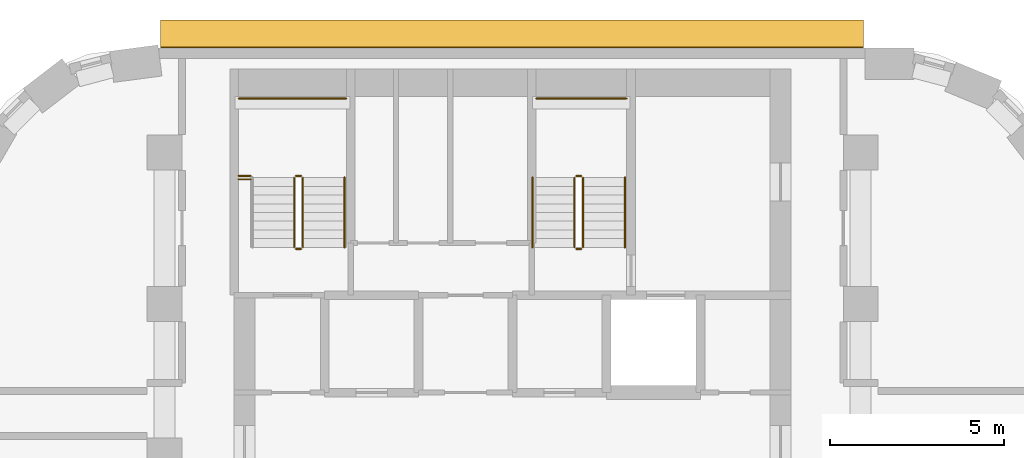
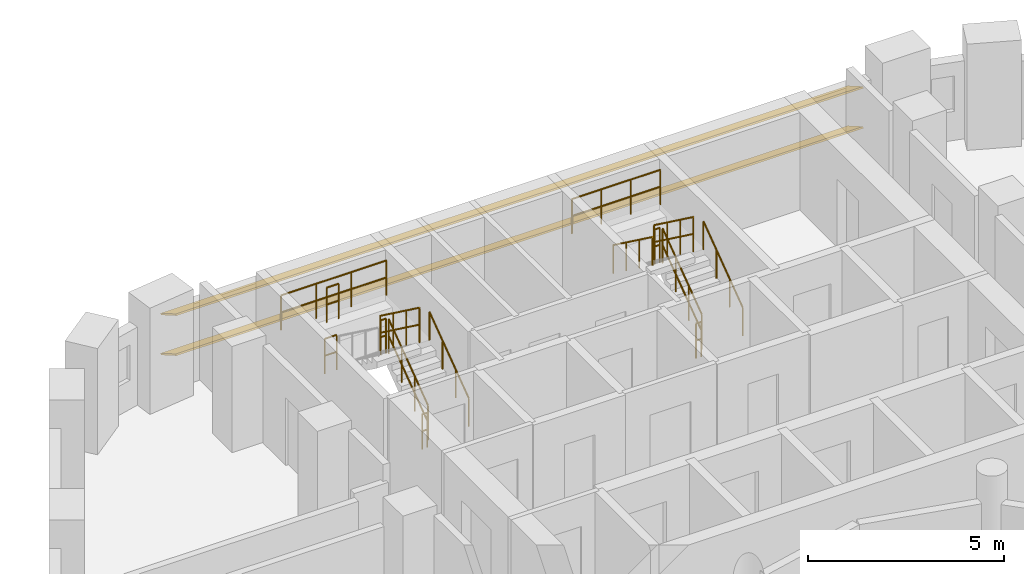
# One storey, part 12 of 12: 15 railings, 2 shading devices.
"""IFC4 building model written with IfcOpenShell, lengths in metres."""

import ifcopenshell
import ifcopenshell.guid

model = None  # the IFC model being written
_history = None  # IfcOwnerHistory: only IFC2X3 demands one
_inside = {}  # id of a spatial element -> (the spatial element, [elements in it])
_under = {}  # id of a project, library or spatial element -> (it, [spatial elements below it])
_declared = {}  # id of a project -> (the project, [libraries it declares])
_typed = {}  # id of a type object -> (the type object, [elements of that type])
_made_of = {}  # id of a material, layer set ... -> (it, [elements and type objects made of it])


def new_model(schema):
    """Start an empty IFC model of exactly this schema.

    Asked for "IFC4X3", IfcOpenShell would pick the latest addendum, in which some entities
    have other attributes; the version numbers below select the first issue.
    IFC2X3 requires an IfcOwnerHistory on every rooted entity: one is made here for all.
    """
    global model, _history
    if schema == "IFC4X3":
        model = ifcopenshell.file(schema_version=(4, 3, 0, 0))
    else:
        model = ifcopenshell.file(schema=schema)
    _inside.clear()
    _under.clear()
    _declared.clear()
    _typed.clear()
    _made_of.clear()
    _history = None
    if model.schema == "IFC2X3":
        org = make("IfcOrganization", Name="unknown")
        user = make(
            "IfcPersonAndOrganization",
            ThePerson=make("IfcPerson", FamilyName="unknown"),
            TheOrganization=org,
        )
        app = make(
            "IfcApplication",
            ApplicationDeveloper=org,
            Version="unknown",
            ApplicationFullName="unknown",
            ApplicationIdentifier="unknown",
        )
        _history = make(
            "IfcOwnerHistory",
            OwningUser=user,
            OwningApplication=app,
            ChangeAction="ADDED",
            CreationDate=0,
        )
    return model


def make(cls, **values):
    """One entity of the class cls with the attributes given. An attribute that is None is left unset."""
    return model.create_entity(
        cls, **{name: value for name, value in values.items() if value is not None}
    )


def rooted(cls, **values):
    """An entity with a GlobalId (a new one), such as an element, a storey or a relation."""
    return make(cls, GlobalId=ifcopenshell.guid.new(), OwnerHistory=_history, **values)


def si_unit(unit_type, name, prefix=None):
    """IfcSIUnit, for example si_unit("LENGTHUNIT", "METRE", prefix="MILLI")."""
    return make("IfcSIUnit", UnitType=unit_type, Prefix=prefix, Name=name)


def assignment(units):
    """IfcUnitAssignment: the units of a project."""
    return None if units is None else make("IfcUnitAssignment", Units=units)


def point(xyz):
    """IfcCartesianPoint."""
    return None if xyz is None else make("IfcCartesianPoint", Coordinates=xyz)


def direction(xyz):
    """IfcDirection."""
    return None if xyz is None else make("IfcDirection", DirectionRatios=xyz)


def frame(location, z_axis=None, x_axis=None):
    """IfcAxis2Placement3D, a coordinate frame: its origin and axes. An axis left out is left unset."""
    return make(
        "IfcAxis2Placement3D",
        Location=point(location),
        Axis=direction(z_axis),
        RefDirection=direction(x_axis),
    )


def frame_2d(location, x_axis=None):
    """IfcAxis2Placement2D, a coordinate frame in the plane: its origin and x axis."""
    return make(
        "IfcAxis2Placement2D", Location=point(location), RefDirection=direction(x_axis)
    )


def origin():
    """The frame at (0, 0, 0) with its axes left unset."""
    return frame((0.0, 0.0, 0.0))


def origin_2d():
    """The frame at (0, 0) in the plane with its x axis left unset."""
    return frame_2d((0.0, 0.0))


def place(relative_to, where):
    """IfcLocalPlacement: puts the frame where relative to a parent placement (None: the world)."""
    return make(
        "IfcLocalPlacement", PlacementRelTo=relative_to, RelativePlacement=where
    )


def context(
    kind, dimensions, precision=None, world=None, true_north=None, identifier=None
):
    """IfcGeometricRepresentationContext, for example the 3D "Model" context."""
    return make(
        "IfcGeometricRepresentationContext",
        ContextIdentifier=identifier,
        ContextType=kind,
        CoordinateSpaceDimension=dimensions,
        Precision=precision,
        WorldCoordinateSystem=world,
        TrueNorth=true_north,
    )


def subcontext(parent, identifier, kind, view, scale=None):
    """IfcGeometricRepresentationSubContext, for example "Body" below "Model"."""
    return make(
        "IfcGeometricRepresentationSubContext",
        ContextIdentifier=identifier,
        ContextType=kind,
        ParentContext=parent,
        TargetScale=scale,
        TargetView=view,
    )


def project(units=None, contexts=None):
    """IfcProject with its units and contexts."""
    return rooted(
        "IfcProject",
        Name="project",
        RepresentationContexts=contexts,
        UnitsInContext=assignment(units),
    )


def spatial(cls, under=None, at=None, **own):
    """A site, building, storey or space (cls), placed at a placement, below another one or the project."""
    s = rooted(cls, ObjectPlacement=at, **own)
    if under is not None:
        _under.setdefault(under.id(), (under, []))[1].append(s)
    return s


def profile(cls, at=None, kind="AREA", **sizes):
    """A parametric profile (cls). Its sizes go by their IFC names, for example OverallWidth=200.0."""
    return make(cls, ProfileType=kind, Position=at, **sizes)


def rectangle(**sizes):
    """IfcRectangleProfileDef."""
    return profile("IfcRectangleProfileDef", **sizes)


def circle(**sizes):
    """IfcCircleProfileDef."""
    return profile("IfcCircleProfileDef", **sizes)


def extrude(swept, where, along, depth):
    """IfcExtrudedAreaSolid: the profile swept, set in the frame where, extruded along a direction by depth."""
    return make(
        "IfcExtrudedAreaSolid",
        SweptArea=swept,
        Position=where,
        ExtrudedDirection=direction(along),
        Depth=depth,
    )


def shape(context_of_items, identifier, shape_type, items):
    """IfcShapeRepresentation: the items that make up one representation, for example the "Body"."""
    return make(
        "IfcShapeRepresentation",
        ContextOfItems=context_of_items,
        RepresentationIdentifier=identifier,
        RepresentationType=shape_type,
        Items=items,
    )


def material(Name=None, Category=None):
    """IfcMaterial."""
    return make("IfcMaterial", Name=Name, Category=Category)


def material_profile(
    of_material, cross_section, Name=None, Category=None, Priority=None
):
    """IfcMaterialProfile: a cross section and its material."""
    return make(
        "IfcMaterialProfile",
        Name=Name,
        Material=of_material,
        Profile=cross_section,
        Priority=Priority,
        Category=Category,
    )


def profile_set(profiles, Name=None, composite=None):
    """IfcMaterialProfileSet."""
    return make(
        "IfcMaterialProfileSet",
        Name=Name,
        MaterialProfiles=profiles,
        CompositeProfile=composite,
    )


def made_of(thing, what):
    """Note that an element or type object is made of a material, layer set ...; save() writes the relation."""
    if what is not None:
        _made_of.setdefault(what.id(), (what, []))[1].append(thing)
    return thing


def type_object(cls, material=None, **own):
    """A type object (cls), such as IfcWallType, which elements share."""
    return made_of(rooted(cls, **own), material)


def element(
    cls,
    number,
    at=None,
    inside=None,
    cuts=None,
    type_object=None,
    material=None,
    context=None,
    identifier="Body",
    shape_type=None,
    held_by="IfcProductDefinitionShape",
    body=None,
    shapes=None,
    **own,
):
    """One element of the class cls, such as IfcWall. Its Tag is "e" and its number.

    at: its placement. inside: the storey or other place that contains it. cuts: it is an
    opening in that element (IfcRelVoidsElement). A single representation is given by context,
    identifier, shape_type and body (its items); several are given by shapes. held_by: the class
    of the entity that holds the representations. save() writes the other relations.
    """
    e = rooted(cls, Tag="e%d" % number, ObjectPlacement=at, **own)
    if body is not None:
        shapes = [shape(context, identifier, shape_type, body)]
    if shapes is not None:
        e.Representation = make(held_by, Representations=shapes)
    if inside is not None:
        _inside.setdefault(inside.id(), (inside, []))[1].append(e)
    if cuts is not None:
        rooted(
            "IfcRelVoidsElement", RelatingBuildingElement=cuts, RelatedOpeningElement=e
        )
    if type_object is not None:
        _typed.setdefault(type_object.id(), (type_object, []))[1].append(e)
    return made_of(e, material)


def aggregate(whole, parts):
    """IfcRelAggregates: a whole, such as a stair, and the parts it consists of."""
    return rooted("IfcRelAggregates", RelatingObject=whole, RelatedObjects=parts)


def save(model, path):
    """Write the relations noted so far, then the file.

    IfcRelAggregates (storeys below a building ...), IfcRelContainedInSpatialStructure (elements
    in a storey), IfcRelDefinesByType, IfcRelAssociatesMaterial and IfcRelDeclares: one each for
    every whole, place, type object, material and project.
    """
    for whole, parts in _under.values():
        aggregate(whole, parts)
    for where, things in _inside.values():
        rooted(
            "IfcRelContainedInSpatialStructure",
            RelatedElements=things,
            RelatingStructure=where,
        )
    for kind, things in _typed.values():
        rooted("IfcRelDefinesByType", RelatedObjects=things, RelatingType=kind)
    for what, things in _made_of.values():
        rooted("IfcRelAssociatesMaterial", RelatedObjects=things, RelatingMaterial=what)
    for by, libraries in _declared.values():
        rooted("IfcRelDeclares", RelatingContext=by, RelatedDefinitions=libraries)
    model.write(path)


model = new_model("IFC4")

# Units and contexts
model_context = context("Model", 3, precision=1e-05, world=origin(), true_north=direction((0.0, 1.0)))
body_context = subcontext(model_context, "Body", "Model", "MODEL_VIEW")
ifc_project = project(units=[si_unit("LENGTHUNIT", "METRE"), si_unit("AREAUNIT", "SQUARE_METRE"), si_unit("VOLUMEUNIT", "CUBIC_METRE"), si_unit("PLANEANGLEUNIT", "RADIAN"), si_unit("MASSUNIT", "GRAM", prefix="KILO")], contexts=[model_context])

# Site, building, storey
site_placement = place(None, origin())
site = spatial("IfcSite", under=ifc_project, at=site_placement, CompositionType="ELEMENT")
building_placement = place(site_placement, origin())
building = spatial("IfcBuilding", under=site, at=building_placement, Name="Nakaniwa Court", CompositionType="ELEMENT")
storey_placement = place(building_placement, frame((0.0, 0.0, 94.199951171875)))
storey = spatial("IfcBuildingStorey", under=building, at=storey_placement, Name="L24", CompositionType="ELEMENT", Elevation=94.199951171875)

# Shading devices
ifc_material_1 = material(Name="Perforated charcoal ceramic louvre blade")
ifc_material_profile = material_profile(ifc_material_1, rectangle(XDim=0.89990234375, YDim=0.050048828125, at=origin_2d()), Name="Perforated ceramic louvre blade")
ifc_profile_set = profile_set([ifc_material_profile], Name="Perforated charcoal ceramic louvre blade")
shading_device_type = type_object("IfcShadingDeviceType", Name="Perforated ceramic louvre blade", PredefinedType="JALOUSIE", material=ifc_profile_set)
for number, where, z_axis, x_axis, name in (
    (1, (90.07861328125, 104.402099609375, 0.550048828125), (-1.0, 0.0, 0.0), (0.0, -0.866025403784, 0.5), "L24 perforated ceramic louvre blade w08 1"),
    (2, (90.07861328125, 104.402099609375, 1.79345703125), (-1.0, 0.0, 0.0), (0.0, -0.866025403784, 0.5), "L24 perforated ceramic louvre blade w08 2"),
):
    element("IfcShadingDevice", number, at=place(storey_placement, frame(where, z_axis=z_axis, x_axis=x_axis)), inside=storey, type_object=shading_device_type, Name=name, PredefinedType="JALOUSIE", context=body_context, shape_type="SweptSolid", body=[
        extrude(rectangle(XDim=0.89990234375, YDim=0.050048828125, at=origin_2d()), origin(), (0.0, 0.0, 1.0), 20.19091796875),
    ])

# Railings
ifc_material_2 = material(Name="Black powder coated steel guard", Category="steel")
railing_type_1 = type_object("IfcRailingType", Name="Stair guard 1100", PredefinedType="GUARDRAIL", material=ifc_material_2)
railing_1_placement = place(storey_placement, frame((73.97509765625, 98.27490234375, 0.183349609375)))
element("IfcRailing", 3, at=railing_1_placement, inside=storey, type_object=railing_type_1, Name="L24 ST1 stair guard 1", PredefinedType="GUARDRAIL", context=body_context, shape_type="SweptSolid", body=[
    extrude(circle(Radius=0.02392578125, at=origin_2d()), frame((0.0, 0.0, 1.076171875), z_axis=(0.0, 0.806379959628, 0.591397802423), x_axis=(-1.0, 0.0, 0.0)), (0.0, 0.0, 1.0), 2.480224609375),
    extrude(circle(Radius=0.02392578125, at=origin_2d()), frame((0.0, 0.0, 0.550048828125), z_axis=(0.0, 0.806379959628, 0.591397802423), x_axis=(-1.0, 0.0, 0.0)), (0.0, 0.0, 1.0), 2.480224609375),
    extrude(circle(Radius=0.02099609375, at=origin_2d()), origin(), (0.0, 0.0, 1.0), 1.052001953125),
    extrude(circle(Radius=0.02099609375, at=origin_2d()), frame((0.0, 0.666748046875, 0.489013671875)), (0.0, 0.0, 1.0), 1.052001953125),
    extrude(circle(Radius=0.02099609375, at=origin_2d()), frame((0.0, 1.333251953125, 0.977783203125)), (0.0, 0.0, 1.0), 1.052001953125),
    extrude(circle(Radius=0.02099609375, at=origin_2d()), frame((0.0, 2.0, 1.466796875)), (0.0, 0.0, 1.0), 1.052001953125),
])
railing_2_placement = place(storey_placement, frame((73.925048828125, 100.324951171875, 1.650146484375)))
element("IfcRailing", 4, at=railing_2_placement, inside=storey, type_object=railing_type_1, Name="L24 ST1 stair guard 2", PredefinedType="GUARDRAIL", context=body_context, shape_type="SweptSolid", body=[
    extrude(circle(Radius=0.02392578125, at=origin_2d()), frame((0.0, 0.0, 1.076171875), z_axis=(-1.0, 0.0, 0.0), x_axis=(0.0, -1.0, 0.0)), (0.0, 0.0, 1.0), 0.150146484375),
    extrude(circle(Radius=0.02392578125, at=origin_2d()), frame((0.0, 0.0, 0.550048828125), z_axis=(-1.0, 0.0, 0.0), x_axis=(0.0, -1.0, 0.0)), (0.0, 0.0, 1.0), 0.150146484375),
    extrude(circle(Radius=0.02099609375, at=origin_2d()), origin(), (0.0, 0.0, 1.0), 1.052001953125),
    extrude(circle(Radius=0.02099609375, at=origin_2d()), frame((-0.150146484375, 0.0, 0.0)), (0.0, 0.0, 1.0), 1.052001953125),
])
railing_3_placement = place(storey_placement, frame((73.72509765625, 100.27490234375, 1.83349609375)))
element("IfcRailing", 5, at=railing_3_placement, inside=storey, type_object=railing_type_1, Name="L24 ST1 stair guard 3", PredefinedType="GUARDRAIL", context=body_context, shape_type="SweptSolid", body=[
    extrude(circle(Radius=0.02392578125, at=origin_2d()), frame((0.0, 0.0, 1.076171875), z_axis=(0.0, -0.806426902644, 0.591333789573), x_axis=(1.0, 0.0, 0.0)), (0.0, 0.0, 1.0), 2.47998046875),
    extrude(circle(Radius=0.02392578125, at=origin_2d()), frame((0.0, 0.0, 0.550048828125), z_axis=(0.0, -0.806426902644, 0.591333789573), x_axis=(1.0, 0.0, 0.0)), (0.0, 0.0, 1.0), 2.47998046875),
    extrude(circle(Radius=0.02099609375, at=origin_2d()), origin(), (0.0, 0.0, 1.0), 1.052001953125),
    extrude(circle(Radius=0.02099609375, at=origin_2d()), frame((0.0, -0.666748046875, 0.48876953125)), (0.0, 0.0, 1.0), 1.052001953125),
    extrude(circle(Radius=0.02099609375, at=origin_2d()), frame((0.0, -1.333251953125, 0.977783203125)), (0.0, 0.0, 1.0), 1.052001953125),
    extrude(circle(Radius=0.02099609375, at=origin_2d()), frame((0.0, -2.0, 1.466552734375)), (0.0, 0.0, 1.0), 1.052001953125),
])
railing_4_placement = place(storey_placement, frame((73.925048828125, 98.22509765625, 0.0)))
element("IfcRailing", 6, at=railing_4_placement, inside=storey, type_object=railing_type_1, Name="L24 ST1 stair guard 4", PredefinedType="GUARDRAIL", context=body_context, shape_type="SweptSolid", body=[
    extrude(circle(Radius=0.02392578125, at=origin_2d()), frame((0.0, 0.0, 1.076171875), z_axis=(-1.0, 0.0, 0.0), x_axis=(0.0, -1.0, 0.0)), (0.0, 0.0, 1.0), 0.150146484375),
    extrude(circle(Radius=0.02392578125, at=origin_2d()), frame((0.0, 0.0, 0.550048828125), z_axis=(-1.0, 0.0, 0.0), x_axis=(0.0, -1.0, 0.0)), (0.0, 0.0, 1.0), 0.150146484375),
    extrude(circle(Radius=0.02099609375, at=origin_2d()), origin(), (0.0, 0.0, 1.0), 1.052001953125),
    extrude(circle(Radius=0.02099609375, at=origin_2d()), frame((-0.150146484375, 0.0, 0.0)), (0.0, 0.0, 1.0), 1.052001953125),
])
railing_5_placement = place(storey_placement, frame((72.125, 102.550048828125, 1.650146484375)))
element("IfcRailing", 7, at=railing_5_placement, inside=storey, type_object=railing_type_1, Name="L24 ST1 landing end guard 1", PredefinedType="GUARDRAIL", context=body_context, shape_type="SweptSolid", body=[
    extrude(circle(Radius=0.02392578125, at=origin_2d()), frame((0.0, 0.0, 1.076171875), z_axis=(1.0, 0.0, 0.0), x_axis=(0.0, 1.0, 0.0)), (0.0, 0.0, 1.0), 3.10009765625),
    extrude(circle(Radius=0.02392578125, at=origin_2d()), frame((0.0, 0.0, 0.550048828125), z_axis=(1.0, 0.0, 0.0), x_axis=(0.0, 1.0, 0.0)), (0.0, 0.0, 1.0), 3.10009765625),
    extrude(circle(Radius=0.02099609375, at=origin_2d()), origin(), (0.0, 0.0, 1.0), 1.052001953125),
    extrude(circle(Radius=0.02099609375, at=origin_2d()), frame((1.033447265625, 0.0, 0.0)), (0.0, 0.0, 1.0), 1.052001953125),
    extrude(circle(Radius=0.02099609375, at=origin_2d()), frame((2.066650390625, 0.0, 0.0)), (0.0, 0.0, 1.0), 1.052001953125),
    extrude(circle(Radius=0.02099609375, at=origin_2d()), frame((3.10009765625, 0.0, 0.0)), (0.0, 0.0, 1.0), 1.052001953125),
])
for number, where, name in (
    (8, (72.125, 100.324951171875, 1.650146484375), "L24 ST1 landing side guard 1W"),
    (9, (72.125, 100.22509765625, 3.300048828125), "L24 ST1 floor edge guard 1W"),
):
    element("IfcRailing", number, at=place(storey_placement, frame(where)), inside=storey, type_object=railing_type_1, Name=name, PredefinedType="GUARDRAIL", context=body_context, shape_type="SweptSolid", body=[
        extrude(circle(Radius=0.02392578125, at=origin_2d()), frame((0.0, 0.0, 1.076171875), z_axis=(1.0, 0.0, 0.0), x_axis=(0.0, 1.0, 0.0)), (0.0, 0.0, 1.0), 0.35009765625),
        extrude(circle(Radius=0.02392578125, at=origin_2d()), frame((0.0, 0.0, 0.550048828125), z_axis=(1.0, 0.0, 0.0), x_axis=(0.0, 1.0, 0.0)), (0.0, 0.0, 1.0), 0.35009765625),
        extrude(circle(Radius=0.02099609375, at=origin_2d()), origin(), (0.0, 0.0, 1.0), 1.052001953125),
        extrude(circle(Radius=0.02099609375, at=origin_2d()), frame((0.35009765625, 0.0, 0.0)), (0.0, 0.0, 1.0), 1.052001953125),
    ])
railing_6_placement = place(storey_placement, frame((82.02490234375, 98.27490234375, 0.183349609375)))
element("IfcRailing", 10, at=railing_6_placement, inside=storey, type_object=railing_type_1, Name="L24 ST2 stair guard 1", PredefinedType="GUARDRAIL", context=body_context, shape_type="SweptSolid", body=[
    extrude(circle(Radius=0.02392578125, at=origin_2d()), frame((0.0, 0.0, 1.076171875), z_axis=(0.0, 0.806379959628, 0.591397802423), x_axis=(-1.0, 0.0, 0.0)), (0.0, 0.0, 1.0), 2.480224609375),
    extrude(circle(Radius=0.02392578125, at=origin_2d()), frame((0.0, 0.0, 0.550048828125), z_axis=(0.0, 0.806379959628, 0.591397802423), x_axis=(-1.0, 0.0, 0.0)), (0.0, 0.0, 1.0), 2.480224609375),
    extrude(circle(Radius=0.02099609375, at=origin_2d()), origin(), (0.0, 0.0, 1.0), 1.052001953125),
    extrude(circle(Radius=0.02099609375, at=origin_2d()), frame((0.0, 0.666748046875, 0.489013671875)), (0.0, 0.0, 1.0), 1.052001953125),
    extrude(circle(Radius=0.02099609375, at=origin_2d()), frame((0.0, 1.333251953125, 0.977783203125)), (0.0, 0.0, 1.0), 1.052001953125),
    extrude(circle(Radius=0.02099609375, at=origin_2d()), frame((0.0, 2.0, 1.466796875)), (0.0, 0.0, 1.0), 1.052001953125),
])
railing_7_placement = place(storey_placement, frame((81.97509765625, 100.324951171875, 1.650146484375)))
element("IfcRailing", 11, at=railing_7_placement, inside=storey, type_object=railing_type_1, Name="L24 ST2 stair guard 2", PredefinedType="GUARDRAIL", context=body_context, shape_type="SweptSolid", body=[
    extrude(circle(Radius=0.02392578125, at=origin_2d()), frame((0.0, 0.0, 1.076171875), z_axis=(-1.0, 0.0, 0.0), x_axis=(0.0, -1.0, 0.0)), (0.0, 0.0, 1.0), 0.150146484375),
    extrude(circle(Radius=0.02392578125, at=origin_2d()), frame((0.0, 0.0, 0.550048828125), z_axis=(-1.0, 0.0, 0.0), x_axis=(0.0, -1.0, 0.0)), (0.0, 0.0, 1.0), 0.150146484375),
    extrude(circle(Radius=0.02099609375, at=origin_2d()), origin(), (0.0, 0.0, 1.0), 1.052001953125),
    extrude(circle(Radius=0.02099609375, at=origin_2d()), frame((-0.150146484375, 0.0, 0.0)), (0.0, 0.0, 1.0), 1.052001953125),
])
railing_8_placement = place(storey_placement, frame((81.77490234375, 100.27490234375, 1.83349609375)))
element("IfcRailing", 12, at=railing_8_placement, inside=storey, type_object=railing_type_1, Name="L24 ST2 stair guard 3", PredefinedType="GUARDRAIL", context=body_context, shape_type="SweptSolid", body=[
    extrude(circle(Radius=0.02392578125, at=origin_2d()), frame((0.0, 0.0, 1.076171875), z_axis=(0.0, -0.806426902644, 0.591333789573), x_axis=(1.0, 0.0, 0.0)), (0.0, 0.0, 1.0), 2.47998046875),
    extrude(circle(Radius=0.02392578125, at=origin_2d()), frame((0.0, 0.0, 0.550048828125), z_axis=(0.0, -0.806426902644, 0.591333789573), x_axis=(1.0, 0.0, 0.0)), (0.0, 0.0, 1.0), 2.47998046875),
    extrude(circle(Radius=0.02099609375, at=origin_2d()), origin(), (0.0, 0.0, 1.0), 1.052001953125),
    extrude(circle(Radius=0.02099609375, at=origin_2d()), frame((0.0, -0.666748046875, 0.48876953125)), (0.0, 0.0, 1.0), 1.052001953125),
    extrude(circle(Radius=0.02099609375, at=origin_2d()), frame((0.0, -1.333251953125, 0.977783203125)), (0.0, 0.0, 1.0), 1.052001953125),
    extrude(circle(Radius=0.02099609375, at=origin_2d()), frame((0.0, -2.0, 1.466552734375)), (0.0, 0.0, 1.0), 1.052001953125),
])
railing_9_placement = place(storey_placement, frame((81.97509765625, 98.22509765625, 0.0)))
element("IfcRailing", 13, at=railing_9_placement, inside=storey, type_object=railing_type_1, Name="L24 ST2 stair guard 4", PredefinedType="GUARDRAIL", context=body_context, shape_type="SweptSolid", body=[
    extrude(circle(Radius=0.02392578125, at=origin_2d()), frame((0.0, 0.0, 1.076171875), z_axis=(-1.0, 0.0, 0.0), x_axis=(0.0, -1.0, 0.0)), (0.0, 0.0, 1.0), 0.150146484375),
    extrude(circle(Radius=0.02392578125, at=origin_2d()), frame((0.0, 0.0, 0.550048828125), z_axis=(-1.0, 0.0, 0.0), x_axis=(0.0, -1.0, 0.0)), (0.0, 0.0, 1.0), 0.150146484375),
    extrude(circle(Radius=0.02099609375, at=origin_2d()), origin(), (0.0, 0.0, 1.0), 1.052001953125),
    extrude(circle(Radius=0.02099609375, at=origin_2d()), frame((-0.150146484375, 0.0, 0.0)), (0.0, 0.0, 1.0), 1.052001953125),
])
railing_10_placement = place(storey_placement, frame((80.675048828125, 102.550048828125, 1.650146484375)))
element("IfcRailing", 14, at=railing_10_placement, inside=storey, type_object=railing_type_1, Name="L24 ST2 landing end guard 1", PredefinedType="GUARDRAIL", context=body_context, shape_type="SweptSolid", body=[
    extrude(circle(Radius=0.02392578125, at=origin_2d()), frame((0.0, 0.0, 1.076171875), z_axis=(1.0, 0.0, 0.0), x_axis=(0.0, 1.0, 0.0)), (0.0, 0.0, 1.0), 2.599853515625),
    extrude(circle(Radius=0.02392578125, at=origin_2d()), frame((0.0, 0.0, 0.550048828125), z_axis=(1.0, 0.0, 0.0), x_axis=(0.0, 1.0, 0.0)), (0.0, 0.0, 1.0), 2.599853515625),
    extrude(circle(Radius=0.02099609375, at=origin_2d()), origin(), (0.0, 0.0, 1.0), 1.052001953125),
    extrude(circle(Radius=0.02099609375, at=origin_2d()), frame((0.86669921875, 0.0, 0.0)), (0.0, 0.0, 1.0), 1.052001953125),
    extrude(circle(Radius=0.02099609375, at=origin_2d()), frame((1.733154296875, 0.0, 0.0)), (0.0, 0.0, 1.0), 1.052001953125),
    extrude(circle(Radius=0.02099609375, at=origin_2d()), frame((2.599853515625, 0.0, 0.0)), (0.0, 0.0, 1.0), 1.052001953125),
])
ifc_material_3 = material(Name="Black powder coated steel handrail", Category="steel")
railing_type_2 = type_object("IfcRailingType", Name="Stair handrail 900", PredefinedType="HANDRAIL", material=ifc_material_3)
for number, where, name in (
    (15, (75.175048828125, 98.27490234375, 0.183349609375), "L24 ST1 stair handrail 1"),
    (16, (83.22509765625, 98.27490234375, 0.183349609375), "L24 ST2 stair handrail 1"),
):
    element("IfcRailing", number, at=place(storey_placement, frame(where)), inside=storey, type_object=railing_type_2, Name=name, PredefinedType="HANDRAIL", context=body_context, shape_type="SweptSolid", body=[
        extrude(circle(Radius=0.02392578125, at=origin_2d()), frame((0.0, 0.0, 0.8759765625), z_axis=(0.0, 0.806379959628, 0.591397802423), x_axis=(-1.0, 0.0, 0.0)), (0.0, 0.0, 1.0), 2.480224609375),
        extrude(circle(Radius=0.02099609375, at=origin_2d()), origin(), (0.0, 0.0, 1.0), 0.851806640625),
        extrude(circle(Radius=0.02099609375, at=origin_2d()), frame((0.0, 0.666748046875, 0.489013671875)), (0.0, 0.0, 1.0), 0.851806640625),
        extrude(circle(Radius=0.02099609375, at=origin_2d()), frame((0.0, 1.333251953125, 0.977783203125)), (0.0, 0.0, 1.0), 0.851806640625),
        extrude(circle(Radius=0.02099609375, at=origin_2d()), frame((0.0, 2.0, 1.466796875)), (0.0, 0.0, 1.0), 0.851806640625),
    ])
railing_11_placement = place(storey_placement, frame((80.574951171875, 100.27490234375, 1.83349609375)))
element("IfcRailing", 17, at=railing_11_placement, inside=storey, type_object=railing_type_2, Name="L24 ST2 stair handrail 2", PredefinedType="HANDRAIL", context=body_context, shape_type="SweptSolid", body=[
    extrude(circle(Radius=0.02392578125, at=origin_2d()), frame((0.0, 0.0, 0.8759765625), z_axis=(0.0, -0.806426902644, 0.591333789573), x_axis=(1.0, 0.0, 0.0)), (0.0, 0.0, 1.0), 2.47998046875),
    extrude(circle(Radius=0.02099609375, at=origin_2d()), origin(), (0.0, 0.0, 1.0), 0.851806640625),
    extrude(circle(Radius=0.02099609375, at=origin_2d()), frame((0.0, -0.666748046875, 0.48876953125)), (0.0, 0.0, 1.0), 0.851806640625),
    extrude(circle(Radius=0.02099609375, at=origin_2d()), frame((0.0, -1.333251953125, 0.977783203125)), (0.0, 0.0, 1.0), 0.851806640625),
    extrude(circle(Radius=0.02099609375, at=origin_2d()), frame((0.0, -2.0, 1.466552734375)), (0.0, 0.0, 1.0), 0.851806640625),
])

save(model, "model.ifc")
